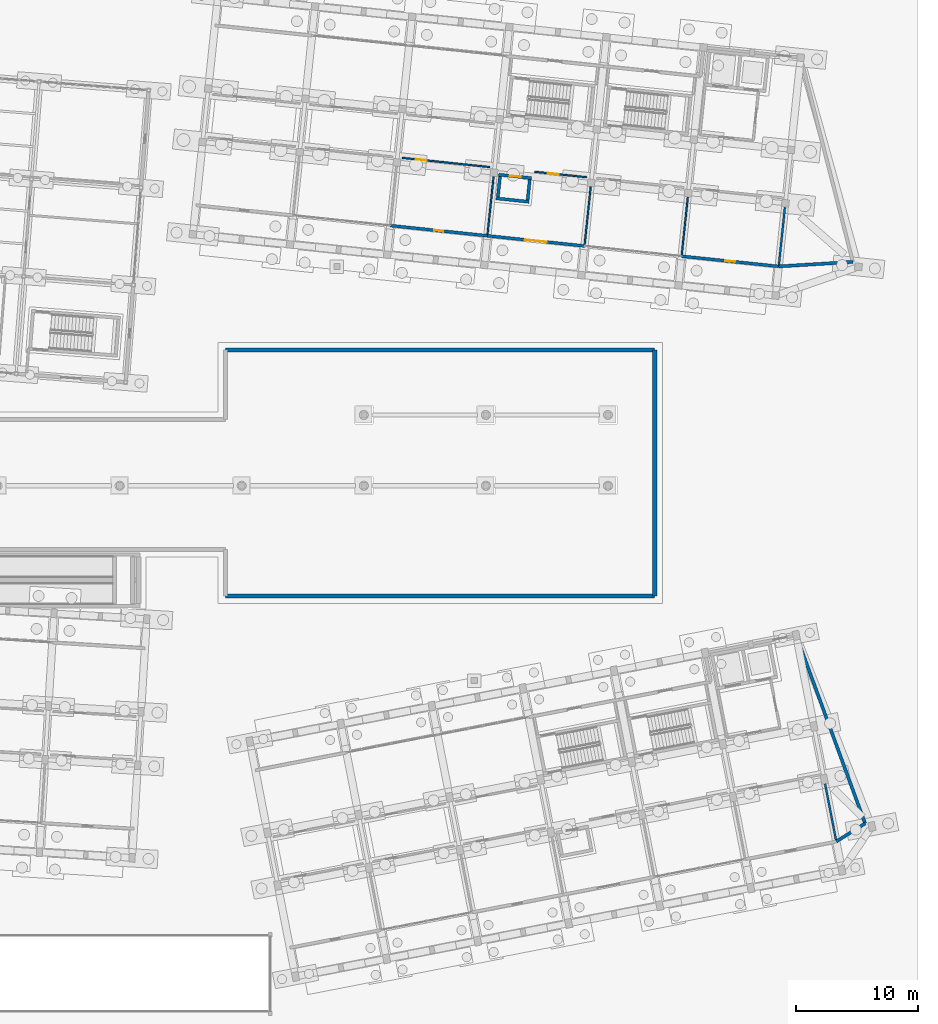
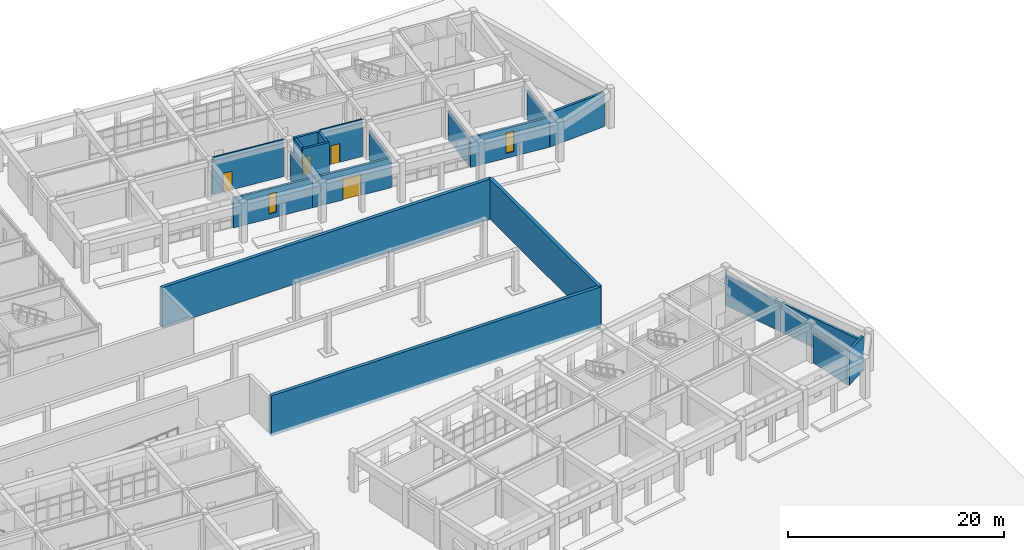
# One storey, part 129 of 154: 20 walls, 4 doors, 2 windows, 6 openings.
"""IFC4 building model written with IfcOpenShell, lengths in metres."""

from ifc_helpers import new_model, si_unit, direction, frame, frame_2d, origin, place, context, subcontext, project, spatial, rectangle, extrude, material, layer, layer_set, type_object, element, fill, save


model = new_model("IFC4")

# Units and contexts
model_context = context("Model", 3, precision=1e-05, world=origin(), true_north=direction((0.0, 1.0)))
body_context = subcontext(model_context, "Body", "Model", "MODEL_VIEW")
ifc_project = project(units=[si_unit("LENGTHUNIT", "METRE"), si_unit("AREAUNIT", "SQUARE_METRE"), si_unit("VOLUMEUNIT", "CUBIC_METRE"), si_unit("PLANEANGLEUNIT", "RADIAN"), si_unit("MASSUNIT", "GRAM", prefix="KILO")], contexts=[model_context])

# Site, building, storey
site_placement = place(None, origin())
site = spatial("IfcSite", under=ifc_project, at=site_placement, CompositionType="ELEMENT")
building_placement = place(site_placement, origin())
building = spatial("IfcBuilding", under=site, at=building_placement, Name="Kestramere Prow Commons", CompositionType="ELEMENT")
storey_placement = place(building_placement, origin())
storey = spatial("IfcBuildingStorey", under=building, at=storey_placement, Name="L00", CompositionType="ELEMENT", Elevation=0.0)

# Walls
ifc_material_1 = material(Name="Weathered Zinc-Titanium Standing-Seam Cladding")
ifc_layer_1 = layer(ifc_material_1, 0.260009765625)
ifc_layer_set_1 = layer_set([ifc_layer_1], Name="Weathered Zinc-Titanium Standing-Seam Cladding")
wall_type_1 = type_object("IfcWallType", Name="EW-PROW-260", PredefinedType="SOLIDWALL", material=ifc_layer_set_1)
wall_1_placement = place(storey_placement, frame((164.0595703125, 92.536865234375, 0.0), z_axis=(0.0, 0.0, 1.0), x_axis=(-0.99817385414, -0.060406596585, 0.0)))
element("IfcWall", 1, at=wall_1_placement, inside=storey, type_object=wall_type_1, Name="Block B L00 PRW-S Wall", PredefinedType="SOLIDWALL", context=body_context, shape_type="SweptSolid", body=[
    extrude(rectangle(XDim=6.08251953125, YDim=0.260009765625, at=frame_2d((3.041259765625, 0.0))), origin(), (0.0, 0.0, 1.0), 3.85009765625),
])
wall_2_placement = place(storey_placement, frame((159.42236328125, 61.940673828125, 0.0), z_axis=(0.0, 0.0, 1.0), x_axis=(0.3439512016, -0.938987524368, 0.0)))
element("IfcWall", 2, at=wall_2_placement, inside=storey, type_object=wall_type_1, Name="Block D L00 PRW-N Wall", PredefinedType="SOLIDWALL", context=body_context, shape_type="SweptSolid", body=[
    extrude(rectangle(XDim=16.4072265625, YDim=0.260009765625, at=frame_2d((8.20361328125, 0.0))), origin(), (0.0, 0.0, 1.0), 3.35009765625),
])
wall_3_placement = place(storey_placement, frame((165.065673828125, 46.534423828125, 0.0), z_axis=(0.0, 0.0, 1.0), x_axis=(-0.84772244565, -0.53044005801, 0.0)))
element("IfcWall", 3, at=wall_3_placement, inside=storey, type_object=wall_type_1, Name="Block D L00 PRW-S Wall", PredefinedType="SOLIDWALL", context=body_context, shape_type="SweptSolid", body=[
    extrude(rectangle(XDim=2.785400390625, YDim=0.260009765625, at=frame_2d((1.392578125, 0.0))), origin(), (0.0, 0.0, 1.0), 3.85009765625),
])

# Wall, opening, window
ifc_material_2 = material(Name="Fluoropolymer Standing-Seam Zinc-Aluminium Cladding", Category="aluminium")
ifc_layer_2 = layer(ifc_material_2, 0.239990234375)
ifc_layer_set_2 = layer_set([ifc_layer_2], Name="Fluoropolymer Standing-Seam Zinc-Aluminium Cladding")
wall_type_2 = type_object("IfcWallType", Name="EW-SEAM-240", PredefinedType="SOLIDWALL", material=ifc_layer_set_2)
wall_4_placement = place(storey_placement, frame((134.119384765625, 94.67822265625, 0.0), z_axis=(0.0, 0.0, 1.0), x_axis=(-0.994522329422, 0.104524333444, 0.0)))
wall_4 = element("IfcWall", 4, at=wall_4_placement, inside=storey, type_object=wall_type_2, Name="Block B L00 South Recessed Wall 3", PredefinedType="SOLIDWALL", context=body_context, shape_type="SweptSolid", body=[
    extrude(rectangle(XDim=7.999755859375, YDim=0.239990234375, at=frame_2d((4.0, 0.0))), origin(), (0.0, 0.0, 1.0), 3.35009765625),
])
opening_1_placement = place(wall_4_placement, frame((3.6298828125, 0.0, 0.550048828125)))
opening_1 = element("IfcOpeningElement", 5, at=opening_1_placement, cuts=wall_4, Name="Opening WN-09", PredefinedType="OPENING", context=body_context, shape_type="SweptSolid", body=[
    extrude(rectangle(XDim=0.739990234375, YDim=2.260009765625, at=frame_2d((0.3701171875, 1.1298828125))), frame((0.0, 0.135009765625, 0.0), z_axis=(0.0, -1.0, 0.0), x_axis=(1.0, 0.0, 0.0)), (0.0, 0.0, 1.0), 0.27001953125),
])
ifc_material_3 = material(Name="Low-E Laminated Double Glazing", Category="glass")
window_type_1 = type_object("IfcWindowType", Name="WN-NAR-740A", PartitioningType="SINGLE_PANEL", PredefinedType="WINDOW", material=ifc_material_3)
window_1_placement = place(opening_1_placement, origin())
window_1 = element("IfcWindow", 6, at=window_1_placement, inside=storey, type_object=window_type_1, Name="WN-B-L00-S-2", OverallHeight=2.260009765625, OverallWidth=0.739990234375, PartitioningType="SINGLE_PANEL", PredefinedType="WINDOW", context=body_context, shape_type="SweptSolid", body=[
    extrude(rectangle(XDim=0.739990234375, YDim=2.260009765625, at=frame_2d((0.3701171875, 1.1298828125))), frame((0.0, 0.030029296875, 0.0), z_axis=(0.0, -1.0, 0.0), x_axis=(1.0, 0.0, 0.0)), (0.0, 0.0, 1.0), 0.06005859375),
])
fill(opening_1, window_1)

# Wall, opening, door
wall_5_placement = place(storey_placement, frame((142.07568359375, 93.842041015625, 0.0), z_axis=(0.0, 0.0, 1.0), x_axis=(-0.994522662826, 0.104521161134, 0.0)))
wall_5 = element("IfcWall", 7, at=wall_5_placement, inside=storey, type_object=wall_type_2, Name="Block B L00 South Recessed Wall 4", PredefinedType="SOLIDWALL", context=body_context, shape_type="SweptSolid", body=[
    extrude(rectangle(XDim=8.0, YDim=0.239990234375, at=frame_2d((4.0, 0.0))), origin(), (0.0, 0.0, 1.0), 3.35009765625),
])
opening_2_placement = place(wall_5_placement, frame((3.10009765625, 0.0, 0.0)))
opening_2 = element("IfcOpeningElement", 8, at=opening_2_placement, cuts=wall_5, Name="Opening ED-01", PredefinedType="OPENING", context=body_context, shape_type="SweptSolid", body=[
    extrude(rectangle(XDim=1.800048828125, YDim=2.39990234375, at=frame_2d((0.89990234375, 1.199951171875))), frame((0.0, 0.135009765625, 0.0), z_axis=(0.0, -1.0, 0.0), x_axis=(1.0, 0.0, 0.0)), (0.0, 0.0, 1.0), 0.27001953125),
])
ifc_material_4 = material(Name="Thermally-Broken Anodised Aluminium Glazed", Category="aluminium")
door_type_1 = type_object("IfcDoorType", Name="ED-MAIN-1800", OperationType="DOUBLE_DOOR_SINGLE_SWING", PredefinedType="DOOR", material=ifc_material_4)
door_1_placement = place(opening_2_placement, origin())
door_1 = element("IfcDoor", 9, at=door_1_placement, inside=storey, type_object=door_type_1, Name="Block B Main Sheltered Entrance Door", OperationType="DOUBLE_DOOR_SINGLE_SWING", OverallHeight=2.39990234375, OverallWidth=1.800048828125, PredefinedType="DOOR", context=body_context, shape_type="SweptSolid", body=[
    extrude(rectangle(XDim=1.800048828125, YDim=2.39990234375, at=frame_2d((0.89990234375, 1.199951171875))), frame((0.0, 0.02490234375, 0.0), z_axis=(0.0, -1.0, 0.0), x_axis=(1.0, 0.0, 0.0)), (0.0, 0.0, 1.0), 0.050048828125),
])
fill(opening_2, door_1)

# Wall, opening, window
wall_6_placement = place(storey_placement, frame((157.988037109375, 92.16943359375, 0.0), z_axis=(0.0, 0.0, 1.0), x_axis=(-0.994522662826, 0.104521161134, 0.0)))
wall_6 = element("IfcWall", 10, at=wall_6_placement, inside=storey, type_object=wall_type_2, Name="Block B L00 South Recessed Wall 6", PredefinedType="SOLIDWALL", context=body_context, shape_type="SweptSolid", body=[
    extrude(rectangle(XDim=8.0, YDim=0.239990234375, at=frame_2d((4.0, 0.0))), origin(), (0.0, 0.0, 1.0), 3.35009765625),
])
opening_3_placement = place(wall_6_placement, frame((3.60009765625, 0.0, 0.550048828125)))
opening_3 = element("IfcOpeningElement", 11, at=opening_3_placement, cuts=wall_6, Name="Opening WN-12", PredefinedType="OPENING", context=body_context, shape_type="SweptSolid", body=[
    extrude(rectangle(XDim=0.800048828125, YDim=2.300048828125, at=frame_2d((0.39990234375, 1.14990234375))), frame((0.0, 0.135009765625, 0.0), z_axis=(0.0, -1.0, 0.0), x_axis=(1.0, 0.0, 0.0)), (0.0, 0.0, 1.0), 0.27001953125),
])
window_type_2 = type_object("IfcWindowType", Name="WN-NAR-800A", PartitioningType="SINGLE_PANEL", PredefinedType="WINDOW", material=ifc_material_3)
window_2_placement = place(opening_3_placement, origin())
window_2 = element("IfcWindow", 12, at=window_2_placement, inside=storey, type_object=window_type_2, Name="WN-B-L00-S-5", OverallHeight=2.300048828125, OverallWidth=0.800048828125, PartitioningType="SINGLE_PANEL", PredefinedType="WINDOW", context=body_context, shape_type="SweptSolid", body=[
    extrude(rectangle(XDim=0.800048828125, YDim=2.300048828125, at=frame_2d((0.39990234375, 1.14990234375))), frame((0.0, 0.030029296875, 0.0), z_axis=(0.0, -1.0, 0.0), x_axis=(1.0, 0.0, 0.0)), (0.0, 0.0, 1.0), 0.06005859375),
])
fill(opening_3, window_2)

# Wall
ifc_material_5 = material(Name="Concrete C40/50", Category="concrete")
ifc_layer_3 = layer(ifc_material_5, 0.25)
ifc_layer_set_3 = layer_set([ifc_layer_3], Name="Concrete C40/50")
wall_type_3 = type_object("IfcWallType", Name="W-HS-250", PredefinedType="SHEAR", material=ifc_layer_set_3)
wall_7_placement = place(storey_placement, frame((134.84375, 97.744140625, -0.35009765625), z_axis=(0.0, 0.0, 1.0), x_axis=(0.994522285292, -0.104524753323, 0.0)))
element("IfcWall", 13, at=wall_7_placement, inside=storey, type_object=wall_type_3, Name="Block B L00 Household Shelter South Wall", PredefinedType="SHEAR", context=body_context, shape_type="SweptSolid", body=[
    extrude(rectangle(XDim=2.7001953125, YDim=0.25, at=frame_2d((1.35009765625, 0.0))), origin(), (0.0, 0.0, 1.0), 4.85009765625),
])

# Wall, opening, door
wall_8_placement = place(storey_placement, frame((135.047607421875, 99.68359375, -0.35009765625), z_axis=(0.0, 0.0, 1.0), x_axis=(0.994522285292, -0.104524753323, 0.0)))
wall_8 = element("IfcWall", 14, at=wall_8_placement, inside=storey, type_object=wall_type_3, Name="Block B L00 Household Shelter North Wall", PredefinedType="SHEAR", context=body_context, shape_type="SweptSolid", body=[
    extrude(rectangle(XDim=2.7001953125, YDim=0.25, at=frame_2d((1.35009765625, 0.0))), origin(), (0.0, 0.0, 1.0), 4.85009765625),
])
opening_4_placement = place(wall_8_placement, frame((0.89990234375, 0.0, 0.35009765625)))
opening_4 = element("IfcOpeningElement", 15, at=opening_4_placement, cuts=wall_8, Name="Opening ID-06", PredefinedType="OPENING", context=body_context, shape_type="SweptSolid", body=[
    extrude(rectangle(XDim=0.89990234375, YDim=2.050048828125, at=frame_2d((0.449951171875, 1.02490234375))), frame((0.0, 0.139892578125, 0.0), z_axis=(0.0, -1.0, 0.0), x_axis=(1.0, 0.0, 0.0)), (0.0, 0.0, 1.0), 0.280029296875),
])
ifc_material_6 = material(Name="Galvanised Steel S275JR Household Shelter Door", Category="steel")
door_type_2 = type_object("IfcDoorType", Name="FD-HS-01", OperationType="NOTDEFINED", PredefinedType="DOOR", material=ifc_material_6)
door_2_placement = place(opening_4_placement, origin())
door_2 = element("IfcDoor", 16, at=door_2_placement, inside=storey, type_object=door_type_2, Name="Block B L00 Household Shelter Blast Door", OperationType="SINGLE_SWING_RIGHT", OverallHeight=2.050048828125, OverallWidth=0.89990234375, PredefinedType="DOOR", context=body_context, shape_type="SweptSolid", body=[
    extrude(rectangle(XDim=0.89990234375, YDim=2.050048828125, at=frame_2d((0.449951171875, 1.02490234375))), frame((0.0, 0.02490234375, 0.0), z_axis=(0.0, -1.0, 0.0), x_axis=(1.0, 0.0, 0.0)), (0.0, 0.0, 1.0), 0.050048828125),
])
fill(opening_4, door_2)

# Walls
for number, where, z_axis, x_axis, name in (
    (17, (134.981201171875, 97.85546875, -0.35009765625), (0.0, 0.0, 1.0), (0.104550220202, 0.994519608382, 0.0), "Block B L00 Household Shelter W Wall"),
    (18, (137.417724609375, 97.599365234375, -0.35009765625), (0.0, 0.0, 1.0), (0.104550220202, 0.994519608382, 0.0), "Block B L00 Household Shelter E Wall"),
):
    element("IfcWall", number, at=place(storey_placement, frame(where, z_axis=z_axis, x_axis=x_axis)), inside=storey, type_object=wall_type_3, Name=name, PredefinedType="SHEAR", context=body_context, shape_type="SweptSolid", body=[
        extrude(rectangle(XDim=1.699951171875, YDim=0.25, at=frame_2d((0.85009765625, 0.0))), origin(), (0.0, 0.0, 1.0), 4.85009765625),
    ])

# Wall, opening, door
ifc_material_7 = material(Name="Lightweight Blockwork and Plaster", Category="masonry")
ifc_layer_4 = layer(ifc_material_7, 0.1201171875)
ifc_layer_set_4 = layer_set([ifc_layer_4], Name="Lightweight Blockwork and Plaster")
wall_type_4 = type_object("IfcWallType", Name="W-PART-120", PredefinedType="PARTITIONING", material=ifc_layer_set_4)
wall_9_placement = place(storey_placement, frame((127.1484375, 101.061767578125, 0.0), z_axis=(0.0, 0.0, 1.0), x_axis=(0.994520863291, -0.104538282357, 0.0)))
wall_9 = element("IfcWall", 19, at=wall_9_placement, inside=storey, type_object=wall_type_4, Name="Interior Partition PW-B-L00-CS-2", PredefinedType="PARTITIONING", context=body_context, shape_type="SweptSolid", body=[
    extrude(rectangle(XDim=7.2001953125, YDim=0.1201171875, at=frame_2d((3.60009765625, 0.0))), origin(), (0.0, 0.0, 1.0), 4.219970703125),
])
opening_5_placement = place(wall_9_placement, frame((1.10009765625, 0.0, 0.0)))
opening_5 = element("IfcOpeningElement", 20, at=opening_5_placement, cuts=wall_9, Name="Opening ID-08", PredefinedType="OPENING", context=body_context, shape_type="SweptSolid", body=[
    extrude(rectangle(XDim=0.89990234375, YDim=2.10009765625, at=frame_2d((0.449951171875, 1.050048828125))), frame((0.0, 0.074951171875, 0.0), z_axis=(0.0, -1.0, 0.0), x_axis=(1.0, 0.0, 0.0)), (0.0, 0.0, 1.0), 0.150146484375),
])
ifc_material_8 = material(Name="Engineered Timber Flush Door", Category="wood")
door_type_3 = type_object("IfcDoorType", Name="D-RM-01", OperationType="NOTDEFINED", PredefinedType="DOOR", material=ifc_material_8)
door_3_placement = place(opening_5_placement, origin())
door_3 = element("IfcDoor", 21, at=door_3_placement, inside=storey, type_object=door_type_3, Name="Interior Door DR-B-L00-S-2", OperationType="SINGLE_SWING_LEFT", OverallHeight=2.10009765625, OverallWidth=0.89990234375, PredefinedType="DOOR", context=body_context, shape_type="SweptSolid", body=[
    extrude(rectangle(XDim=0.89990234375, YDim=2.10009765625, at=frame_2d((0.449951171875, 1.050048828125))), frame((0.0, 0.02490234375, 0.0), z_axis=(0.0, -1.0, 0.0), x_axis=(1.0, 0.0, 0.0)), (0.0, 0.0, 1.0), 0.050048828125),
])
fill(opening_5, door_3)

wall_10_placement = place(storey_placement, frame((137.98876953125, 99.92236328125, 0.0), z_axis=(0.0, 0.0, 1.0), x_axis=(0.994521929513, -0.104528138401, 0.0)))
wall_10 = element("IfcWall", 22, at=wall_10_placement, inside=storey, type_object=wall_type_4, Name="Interior Partition PW-B-L00-CS-3", PredefinedType="PARTITIONING", context=body_context, shape_type="SweptSolid", body=[
    extrude(rectangle(XDim=4.2998046875, YDim=0.1201171875, at=frame_2d((2.14990234375, 0.0))), origin(), (0.0, 0.0, 1.0), 4.219970703125),
])
opening_6_placement = place(wall_10_placement, frame((1.10009765625, 0.0, 0.0)))
opening_6 = element("IfcOpeningElement", 23, at=opening_6_placement, cuts=wall_10, Name="Opening ID-08", PredefinedType="OPENING", context=body_context, shape_type="SweptSolid", body=[
    extrude(rectangle(XDim=0.89990234375, YDim=2.10009765625, at=frame_2d((0.449951171875, 1.050048828125))), frame((0.0, 0.074951171875, 0.0), z_axis=(0.0, -1.0, 0.0), x_axis=(1.0, 0.0, 0.0)), (0.0, 0.0, 1.0), 0.150146484375),
])
door_4_placement = place(opening_6_placement, origin())
door_4 = element("IfcDoor", 24, at=door_4_placement, inside=storey, type_object=door_type_3, Name="Interior Door DR-B-L00-S-3", OperationType="SINGLE_SWING_RIGHT", OverallHeight=2.10009765625, OverallWidth=0.89990234375, PredefinedType="DOOR", context=body_context, shape_type="SweptSolid", body=[
    extrude(rectangle(XDim=0.89990234375, YDim=2.10009765625, at=frame_2d((0.449951171875, 1.050048828125))), frame((0.0, 0.02490234375, 0.0), z_axis=(0.0, -1.0, 0.0), x_axis=(1.0, 0.0, 0.0)), (0.0, 0.0, 1.0), 0.050048828125),
])
fill(opening_6, door_4)

# Walls
for number, where, z_axis, x_axis, name in (
    (25, (134.133056640625, 94.807373046875, 0.0), (0.0, 0.0, 1.0), (0.10450514772, 0.994524345655, 0.0), "Interior Partition PW-B-L00-DVS-3"),
    (26, (142.089111328125, 93.97119140625, 0.0), (0.0, 0.0, 1.0), (0.104556090539, 0.994518991237, 0.0), "Interior Partition PW-B-L00-DVS-4"),
    (27, (150.04541015625, 93.135009765625, 0.0), (0.0, 0.0, 1.0), (0.10450514772, 0.994524345655, 0.0), "Interior Partition PW-B-L00-DVS-5"),
):
    element("IfcWall", number, at=place(storey_placement, frame(where, z_axis=z_axis, x_axis=x_axis)), inside=storey, type_object=wall_type_4, Name=name, PredefinedType="PARTITIONING", context=body_context, shape_type="SweptSolid", body=[
        extrude(rectangle(XDim=4.739990234375, YDim=0.1201171875, at=frame_2d((2.3701171875, 0.0))), origin(), (0.0, 0.0, 1.0), 3.320068359375),
    ])
ifc_material_9 = material(Name="Waterproof Sanitary Masonry Wall", Category="masonry")
ifc_layer_5 = layer(ifc_material_9, 0.1650390625)
ifc_layer_set_5 = layer_set([ifc_layer_5], Name="Waterproof Sanitary Masonry Wall")
wall_type_5 = type_object("IfcWallType", Name="W-PLUMB-150", PredefinedType="PLUMBINGWALL", material=ifc_layer_set_5)
wall_11_placement = place(storey_placement, frame((158.00146484375, 92.298828125, 0.0), z_axis=(0.0, 0.0, 1.0), x_axis=(0.104561446505, 0.994518428137, 0.0)))
element("IfcWall", 28, at=wall_11_placement, inside=storey, type_object=wall_type_5, Name="Interior Partition PW-B-L00-DVS-6", PredefinedType="PLUMBINGWALL", context=body_context, shape_type="SweptSolid", body=[
    extrude(rectangle(XDim=4.73974609375, YDim=0.1650390625, at=frame_2d((2.369873046875, 0.0))), origin(), (0.0, 0.0, 1.0), 3.320068359375),
])
wall_12_placement = place(storey_placement, frame((162.679443359375, 45.184326171875, 0.0), z_axis=(0.0, 0.0, 1.0), x_axis=(-0.190824166448, 0.981624234368, 0.0)))
element("IfcWall", 29, at=wall_12_placement, inside=storey, type_object=wall_type_5, Name="Interior Partition PW-D-L00-DVS-6", PredefinedType="PLUMBINGWALL", context=body_context, shape_type="SweptSolid", body=[
    extrude(rectangle(XDim=4.740234375, YDim=0.1650390625, at=frame_2d((2.3701171875, 0.0))), origin(), (0.0, 0.0, 1.0), 3.320068359375),
])
ifc_material_10 = material(Name="Pigmented Charcoal Concrete C35/45", Category="concrete")
ifc_layer_6 = layer(ifc_material_10, 0.35009765625)
ifc_layer_set_6 = layer_set([ifc_layer_6], Name="Pigmented Charcoal Concrete C35/45")
wall_type_6 = type_object("IfcWallType", Name="W-RET-350", PredefinedType="USERDEFINED", material=ifc_layer_set_6)
wall_13_placement = place(storey_placement, frame((112.675048828125, 85.324951171875, -0.35009765625), z_axis=(0.0, 0.0, 1.0), x_axis=(1.0, 0.0, 0.0)))
element("IfcWall", 30, at=wall_13_placement, inside=storey, type_object=wall_type_6, Name="Raised Hillside Courtyard Retaining Wall 5", ObjectType="RETAINING WALL", PredefinedType="USERDEFINED", context=body_context, shape_type="SweptSolid", body=[
    extrude(rectangle(XDim=35.14990234375, YDim=0.35009765625, at=frame_2d((17.574951171875, 0.0))), origin(), (0.0, 0.0, 1.0), 4.550048828125),
])
wall_14_placement = place(storey_placement, frame((147.824951171875, 85.324951171875, -0.35009765625), z_axis=(0.0, 0.0, 1.0), x_axis=(0.0, -1.0, 0.0)))
element("IfcWall", 31, at=wall_14_placement, inside=storey, type_object=wall_type_6, Name="Raised Hillside Courtyard Retaining Wall 6", ObjectType="RETAINING WALL", PredefinedType="USERDEFINED", context=body_context, shape_type="SweptSolid", body=[
    extrude(rectangle(XDim=20.14990234375, YDim=0.35009765625, at=frame_2d((10.074951171875, 0.0))), origin(), (0.0, 0.0, 1.0), 4.550048828125),
])
wall_15_placement = place(storey_placement, frame((147.824951171875, 65.175048828125, -0.35009765625), z_axis=(0.0, 0.0, 1.0), x_axis=(-1.0, 0.0, 0.0)))
element("IfcWall", 32, at=wall_15_placement, inside=storey, type_object=wall_type_6, Name="Raised Hillside Courtyard Retaining Wall 7", ObjectType="RETAINING WALL", PredefinedType="USERDEFINED", context=body_context, shape_type="SweptSolid", body=[
    extrude(rectangle(XDim=35.14990234375, YDim=0.35009765625, at=frame_2d((17.574951171875, 0.0))), origin(), (0.0, 0.0, 1.0), 4.550048828125),
])

save(model, "model.ifc")
